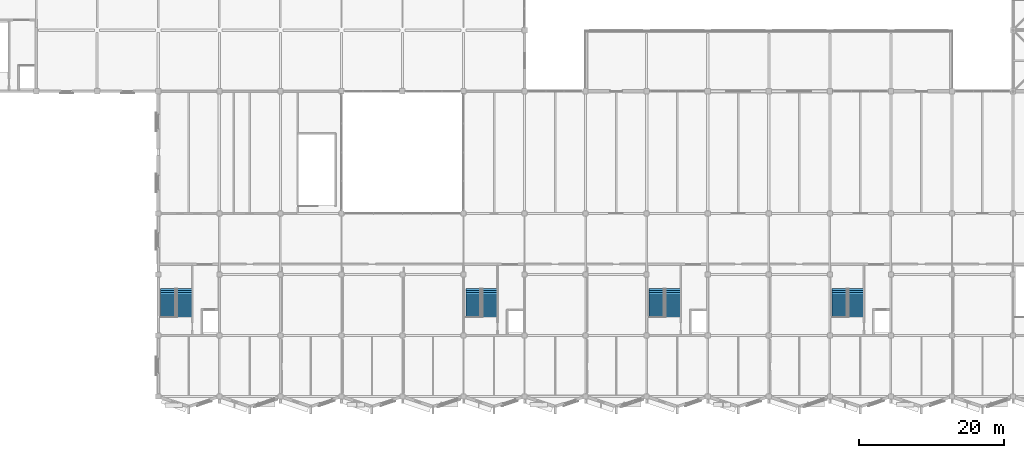
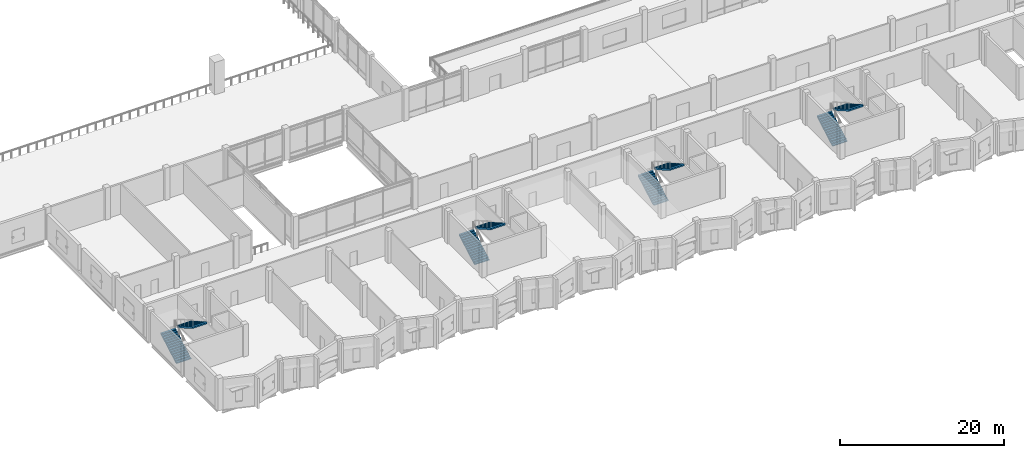
# One storey, part 93 of 110: 8 stair flights, 4 elements without a shape of their own.
"""IFC4 building model written with IfcOpenShell, lengths in metres."""

from ifc_helpers import new_model, si_unit, direction, frame, origin, place, context, subcontext, project, spatial, polyline, outline, extrude, material, type_object, element, aggregate, save


model = new_model("IFC4")

# Units and contexts
model_context = context("Model", 3, precision=1e-05, world=origin(), true_north=direction((0.0, 1.0)))
body_context = subcontext(model_context, "Body", "Model", "MODEL_VIEW")
ifc_project = project(units=[si_unit("LENGTHUNIT", "METRE"), si_unit("AREAUNIT", "SQUARE_METRE"), si_unit("VOLUMEUNIT", "CUBIC_METRE"), si_unit("PLANEANGLEUNIT", "RADIAN"), si_unit("MASSUNIT", "GRAM", prefix="KILO")], contexts=[model_context])

# Site, building, storey
site_placement = place(None, origin())
site = spatial("IfcSite", under=ifc_project, at=site_placement, CompositionType="ELEMENT")
building_placement = place(site_placement, origin())
building = spatial("IfcBuilding", under=site, at=building_placement, Name="Qawsi Khor Wholesale Market", CompositionType="ELEMENT")
storey_placement = place(building_placement, frame((0.0, 0.0, 11.39990234375)))
storey = spatial("IfcBuildingStorey", under=building, at=storey_placement, Name="L02", CompositionType="ELEMENT", Elevation=11.39990234375)

# Stair, stair flights
ifc_material = material(Name="Concrete C40/50", Category="concrete")
stair_type = type_object("IfcStairType", Name="Exit Stair L02-L03 4800 Rise", PredefinedType="HALF_TURN_STAIR", material=ifc_material)
stair_1_placement = place(storey_placement, origin())
stair_1 = element("IfcStair", 1, at=stair_1_placement, inside=storey, type_object=stair_type, Name="Stair ST-01 L02", PredefinedType="HALF_TURN_STAIR")
stair_flight_type = type_object("IfcStairFlightType", Name="Stair Flight 15R x 160.0 / 280G (2060w)", PredefinedType="STRAIGHT", material=ifc_material)
stair_flight_1_placement = place(storey_placement, frame((26.550048828125, 10.919921875, 0.0), z_axis=(0.0, 0.0, 1.0), x_axis=(0.0, 1.0, 0.0)))
stair_flight_1 = element("IfcStairFlight", 2, at=stair_flight_1_placement, type_object=stair_flight_type, Name="ST-01-L02 flight 1", NumberOfRisers=15, NumberOfTreads=14, PredefinedType="STRAIGHT", RiserHeight=0.16, TreadLength=0.28, context=body_context, shape_type="SweptSolid", body=[
    extrude(outline(polyline([(0.0, 0.0), (0.0, 0.159912109375), (0.280029296875, 0.159912109375), (0.280029296875, 0.320068359375), (0.56005859375, 0.320068359375), (0.56005859375, 0.47998046875), (0.840087890625, 0.47998046875), (0.840087890625, 0.639892578125), (1.1201171875, 0.639892578125), (1.1201171875, 0.800048828125), (1.39990234375, 0.800048828125), (1.39990234375, 0.9599609375), (1.679931640625, 0.9599609375), (1.679931640625, 1.1201171875), (1.9599609375, 1.1201171875), (1.9599609375, 1.280029296875), (2.239990234375, 1.280029296875), (2.239990234375, 1.43994140625), (2.52001953125, 1.43994140625), (2.52001953125, 1.60009765625), (2.800048828125, 1.60009765625), (2.800048828125, 1.760009765625), (3.080078125, 1.760009765625), (3.080078125, 1.919921875), (3.360107421875, 1.919921875), (3.360107421875, 2.080078125), (3.639892578125, 2.080078125), (3.639892578125, 2.239990234375), (3.919921875, 2.239990234375), (3.919921875, 2.39990234375), (3.919921875, 2.03271484375), (0.362548828125, 0.0), (0.0, 0.0)])), frame((0.0, 1.030029296875, 0.0), z_axis=(0.0, -1.0, 0.0), x_axis=(1.0, 0.0, 0.0)), (0.0, 0.0, 1.0), 2.06005859375),
])
stair_flight_2_placement = place(storey_placement, frame((28.7900390625, 14.840087890625, 2.400146484375), z_axis=(0.0, 0.0, 1.0), x_axis=(0.0, -1.0, 0.0)))
stair_flight_2 = element("IfcStairFlight", 3, at=stair_flight_2_placement, type_object=stair_flight_type, Name="ST-01-L02 flight 2", NumberOfRisers=15, NumberOfTreads=14, PredefinedType="STRAIGHT", RiserHeight=0.16, TreadLength=0.28, context=body_context, shape_type="SweptSolid", body=[
    extrude(outline(polyline([(0.0, 0.0), (0.0, 0.159912109375), (0.280029296875, 0.159912109375), (0.280029296875, 0.320068359375), (0.56005859375, 0.320068359375), (0.56005859375, 0.47998046875), (0.840087890625, 0.47998046875), (0.840087890625, 0.639892578125), (1.1201171875, 0.639892578125), (1.1201171875, 0.800048828125), (1.39990234375, 0.800048828125), (1.39990234375, 0.9599609375), (1.679931640625, 0.9599609375), (1.679931640625, 1.1201171875), (1.9599609375, 1.1201171875), (1.9599609375, 1.280029296875), (2.239990234375, 1.280029296875), (2.239990234375, 1.43994140625), (2.52001953125, 1.43994140625), (2.52001953125, 1.60009765625), (2.800048828125, 1.60009765625), (2.800048828125, 1.760009765625), (3.080078125, 1.760009765625), (3.080078125, 1.919921875), (3.360107421875, 1.919921875), (3.360107421875, 2.080078125), (3.639892578125, 2.080078125), (3.639892578125, 2.239990234375), (3.919921875, 2.239990234375), (3.919921875, 2.39990234375), (3.919921875, 2.03271484375), (0.362548828125, 0.0), (0.0, 0.0)])), frame((0.0, 1.030029296875, 0.0), z_axis=(0.0, -1.0, 0.0), x_axis=(1.0, 0.0, 0.0)), (0.0, 0.0, 1.0), 2.06005859375),
])
aggregate(stair_1, [stair_flight_1, stair_flight_2])

stair_2_placement = place(storey_placement, origin())
stair_2 = element("IfcStair", 4, at=stair_2_placement, inside=storey, type_object=stair_type, Name="Stair ST-02 L02", PredefinedType="HALF_TURN_STAIR")
stair_flight_3_placement = place(storey_placement, frame((68.550048828125, 10.919921875, 0.0), z_axis=(0.0, 0.0, 1.0), x_axis=(0.0, 1.0, 0.0)))
stair_flight_3 = element("IfcStairFlight", 5, at=stair_flight_3_placement, type_object=stair_flight_type, Name="ST-02-L02 flight 1", NumberOfRisers=15, NumberOfTreads=14, PredefinedType="STRAIGHT", RiserHeight=0.16, TreadLength=0.28, context=body_context, shape_type="SweptSolid", body=[
    extrude(outline(polyline([(0.0, 0.0), (0.0, 0.159912109375), (0.280029296875, 0.159912109375), (0.280029296875, 0.320068359375), (0.56005859375, 0.320068359375), (0.56005859375, 0.47998046875), (0.840087890625, 0.47998046875), (0.840087890625, 0.639892578125), (1.1201171875, 0.639892578125), (1.1201171875, 0.800048828125), (1.39990234375, 0.800048828125), (1.39990234375, 0.9599609375), (1.679931640625, 0.9599609375), (1.679931640625, 1.1201171875), (1.9599609375, 1.1201171875), (1.9599609375, 1.280029296875), (2.239990234375, 1.280029296875), (2.239990234375, 1.43994140625), (2.52001953125, 1.43994140625), (2.52001953125, 1.60009765625), (2.800048828125, 1.60009765625), (2.800048828125, 1.760009765625), (3.080078125, 1.760009765625), (3.080078125, 1.919921875), (3.360107421875, 1.919921875), (3.360107421875, 2.080078125), (3.639892578125, 2.080078125), (3.639892578125, 2.239990234375), (3.919921875, 2.239990234375), (3.919921875, 2.39990234375), (3.919921875, 2.03271484375), (0.362548828125, 0.0), (0.0, 0.0)])), frame((0.0, 1.030029296875, 0.0), z_axis=(0.0, -1.0, 0.0), x_axis=(1.0, 0.0, 0.0)), (0.0, 0.0, 1.0), 2.06005859375),
])
stair_flight_4_placement = place(storey_placement, frame((70.7900390625, 14.840087890625, 2.400146484375), z_axis=(0.0, 0.0, 1.0), x_axis=(0.0, -1.0, 0.0)))
stair_flight_4 = element("IfcStairFlight", 6, at=stair_flight_4_placement, type_object=stair_flight_type, Name="ST-02-L02 flight 2", NumberOfRisers=15, NumberOfTreads=14, PredefinedType="STRAIGHT", RiserHeight=0.16, TreadLength=0.28, context=body_context, shape_type="SweptSolid", body=[
    extrude(outline(polyline([(0.0, 0.0), (0.0, 0.159912109375), (0.280029296875, 0.159912109375), (0.280029296875, 0.320068359375), (0.56005859375, 0.320068359375), (0.56005859375, 0.47998046875), (0.840087890625, 0.47998046875), (0.840087890625, 0.639892578125), (1.1201171875, 0.639892578125), (1.1201171875, 0.800048828125), (1.39990234375, 0.800048828125), (1.39990234375, 0.9599609375), (1.679931640625, 0.9599609375), (1.679931640625, 1.1201171875), (1.9599609375, 1.1201171875), (1.9599609375, 1.280029296875), (2.239990234375, 1.280029296875), (2.239990234375, 1.43994140625), (2.52001953125, 1.43994140625), (2.52001953125, 1.60009765625), (2.800048828125, 1.60009765625), (2.800048828125, 1.760009765625), (3.080078125, 1.760009765625), (3.080078125, 1.919921875), (3.360107421875, 1.919921875), (3.360107421875, 2.080078125), (3.639892578125, 2.080078125), (3.639892578125, 2.239990234375), (3.919921875, 2.239990234375), (3.919921875, 2.39990234375), (3.919921875, 2.03271484375), (0.362548828125, 0.0), (0.0, 0.0)])), frame((0.0, 1.030029296875, 0.0), z_axis=(0.0, -1.0, 0.0), x_axis=(1.0, 0.0, 0.0)), (0.0, 0.0, 1.0), 2.06005859375),
])
aggregate(stair_2, [stair_flight_3, stair_flight_4])

stair_3_placement = place(storey_placement, origin())
stair_3 = element("IfcStair", 7, at=stair_3_placement, inside=storey, type_object=stair_type, Name="Stair ST-03 L02", PredefinedType="HALF_TURN_STAIR")
stair_flight_5_placement = place(storey_placement, frame((93.75, 10.919921875, 0.0), z_axis=(0.0, 0.0, 1.0), x_axis=(0.0, 1.0, 0.0)))
stair_flight_5 = element("IfcStairFlight", 8, at=stair_flight_5_placement, type_object=stair_flight_type, Name="ST-03-L02 flight 1", NumberOfRisers=15, NumberOfTreads=14, PredefinedType="STRAIGHT", RiserHeight=0.16, TreadLength=0.28, context=body_context, shape_type="SweptSolid", body=[
    extrude(outline(polyline([(0.0, 0.0), (0.0, 0.159912109375), (0.280029296875, 0.159912109375), (0.280029296875, 0.320068359375), (0.56005859375, 0.320068359375), (0.56005859375, 0.47998046875), (0.840087890625, 0.47998046875), (0.840087890625, 0.639892578125), (1.1201171875, 0.639892578125), (1.1201171875, 0.800048828125), (1.39990234375, 0.800048828125), (1.39990234375, 0.9599609375), (1.679931640625, 0.9599609375), (1.679931640625, 1.1201171875), (1.9599609375, 1.1201171875), (1.9599609375, 1.280029296875), (2.239990234375, 1.280029296875), (2.239990234375, 1.43994140625), (2.52001953125, 1.43994140625), (2.52001953125, 1.60009765625), (2.800048828125, 1.60009765625), (2.800048828125, 1.760009765625), (3.080078125, 1.760009765625), (3.080078125, 1.919921875), (3.360107421875, 1.919921875), (3.360107421875, 2.080078125), (3.639892578125, 2.080078125), (3.639892578125, 2.239990234375), (3.919921875, 2.239990234375), (3.919921875, 2.39990234375), (3.919921875, 2.03271484375), (0.362548828125, 0.0), (0.0, 0.0)])), frame((0.0, 1.030029296875, 0.0), z_axis=(0.0, -1.0, 0.0), x_axis=(1.0, 0.0, 0.0)), (0.0, 0.0, 1.0), 2.06005859375),
])
stair_flight_6_placement = place(storey_placement, frame((95.989990234375, 14.840087890625, 2.400146484375), z_axis=(0.0, 0.0, 1.0), x_axis=(0.0, -1.0, 0.0)))
stair_flight_6 = element("IfcStairFlight", 9, at=stair_flight_6_placement, type_object=stair_flight_type, Name="ST-03-L02 flight 2", NumberOfRisers=15, NumberOfTreads=14, PredefinedType="STRAIGHT", RiserHeight=0.16, TreadLength=0.28, context=body_context, shape_type="SweptSolid", body=[
    extrude(outline(polyline([(0.0, 0.0), (0.0, 0.159912109375), (0.280029296875, 0.159912109375), (0.280029296875, 0.320068359375), (0.56005859375, 0.320068359375), (0.56005859375, 0.47998046875), (0.840087890625, 0.47998046875), (0.840087890625, 0.639892578125), (1.1201171875, 0.639892578125), (1.1201171875, 0.800048828125), (1.39990234375, 0.800048828125), (1.39990234375, 0.9599609375), (1.679931640625, 0.9599609375), (1.679931640625, 1.1201171875), (1.9599609375, 1.1201171875), (1.9599609375, 1.280029296875), (2.239990234375, 1.280029296875), (2.239990234375, 1.43994140625), (2.52001953125, 1.43994140625), (2.52001953125, 1.60009765625), (2.800048828125, 1.60009765625), (2.800048828125, 1.760009765625), (3.080078125, 1.760009765625), (3.080078125, 1.919921875), (3.360107421875, 1.919921875), (3.360107421875, 2.080078125), (3.639892578125, 2.080078125), (3.639892578125, 2.239990234375), (3.919921875, 2.239990234375), (3.919921875, 2.39990234375), (3.919921875, 2.03271484375), (0.362548828125, 0.0), (0.0, 0.0)])), frame((0.0, 1.030029296875, 0.0), z_axis=(0.0, -1.0, 0.0), x_axis=(1.0, 0.0, 0.0)), (0.0, 0.0, 1.0), 2.06005859375),
])
aggregate(stair_3, [stair_flight_5, stair_flight_6])

stair_4_placement = place(storey_placement, origin())
stair_4 = element("IfcStair", 10, at=stair_4_placement, inside=storey, type_object=stair_type, Name="Stair ST-04 L02", PredefinedType="HALF_TURN_STAIR")
stair_flight_7_placement = place(storey_placement, frame((118.949951171875, 10.919921875, 0.0), z_axis=(0.0, 0.0, 1.0), x_axis=(0.0, 1.0, 0.0)))
stair_flight_7 = element("IfcStairFlight", 11, at=stair_flight_7_placement, type_object=stair_flight_type, Name="ST-04-L02 flight 1", NumberOfRisers=15, NumberOfTreads=14, PredefinedType="STRAIGHT", RiserHeight=0.16, TreadLength=0.28, context=body_context, shape_type="SweptSolid", body=[
    extrude(outline(polyline([(0.0, 0.0), (0.0, 0.159912109375), (0.280029296875, 0.159912109375), (0.280029296875, 0.320068359375), (0.56005859375, 0.320068359375), (0.56005859375, 0.47998046875), (0.840087890625, 0.47998046875), (0.840087890625, 0.639892578125), (1.1201171875, 0.639892578125), (1.1201171875, 0.800048828125), (1.39990234375, 0.800048828125), (1.39990234375, 0.9599609375), (1.679931640625, 0.9599609375), (1.679931640625, 1.1201171875), (1.9599609375, 1.1201171875), (1.9599609375, 1.280029296875), (2.239990234375, 1.280029296875), (2.239990234375, 1.43994140625), (2.52001953125, 1.43994140625), (2.52001953125, 1.60009765625), (2.800048828125, 1.60009765625), (2.800048828125, 1.760009765625), (3.080078125, 1.760009765625), (3.080078125, 1.919921875), (3.360107421875, 1.919921875), (3.360107421875, 2.080078125), (3.639892578125, 2.080078125), (3.639892578125, 2.239990234375), (3.919921875, 2.239990234375), (3.919921875, 2.39990234375), (3.919921875, 2.03271484375), (0.362548828125, 0.0), (0.0, 0.0)])), frame((0.0, 1.030029296875, 0.0), z_axis=(0.0, -1.0, 0.0), x_axis=(1.0, 0.0, 0.0)), (0.0, 0.0, 1.0), 2.06005859375),
])
stair_flight_8_placement = place(storey_placement, frame((121.18994140625, 14.840087890625, 2.400146484375), z_axis=(0.0, 0.0, 1.0), x_axis=(0.0, -1.0, 0.0)))
stair_flight_8 = element("IfcStairFlight", 12, at=stair_flight_8_placement, type_object=stair_flight_type, Name="ST-04-L02 flight 2", NumberOfRisers=15, NumberOfTreads=14, PredefinedType="STRAIGHT", RiserHeight=0.16, TreadLength=0.28, context=body_context, shape_type="SweptSolid", body=[
    extrude(outline(polyline([(0.0, 0.0), (0.0, 0.159912109375), (0.280029296875, 0.159912109375), (0.280029296875, 0.320068359375), (0.56005859375, 0.320068359375), (0.56005859375, 0.47998046875), (0.840087890625, 0.47998046875), (0.840087890625, 0.639892578125), (1.1201171875, 0.639892578125), (1.1201171875, 0.800048828125), (1.39990234375, 0.800048828125), (1.39990234375, 0.9599609375), (1.679931640625, 0.9599609375), (1.679931640625, 1.1201171875), (1.9599609375, 1.1201171875), (1.9599609375, 1.280029296875), (2.239990234375, 1.280029296875), (2.239990234375, 1.43994140625), (2.52001953125, 1.43994140625), (2.52001953125, 1.60009765625), (2.800048828125, 1.60009765625), (2.800048828125, 1.760009765625), (3.080078125, 1.760009765625), (3.080078125, 1.919921875), (3.360107421875, 1.919921875), (3.360107421875, 2.080078125), (3.639892578125, 2.080078125), (3.639892578125, 2.239990234375), (3.919921875, 2.239990234375), (3.919921875, 2.39990234375), (3.919921875, 2.03271484375), (0.362548828125, 0.0), (0.0, 0.0)])), frame((0.0, 1.030029296875, 0.0), z_axis=(0.0, -1.0, 0.0), x_axis=(1.0, 0.0, 0.0)), (0.0, 0.0, 1.0), 2.06005859375),
])
aggregate(stair_4, [stair_flight_7, stair_flight_8])

save(model, "model.ifc")
